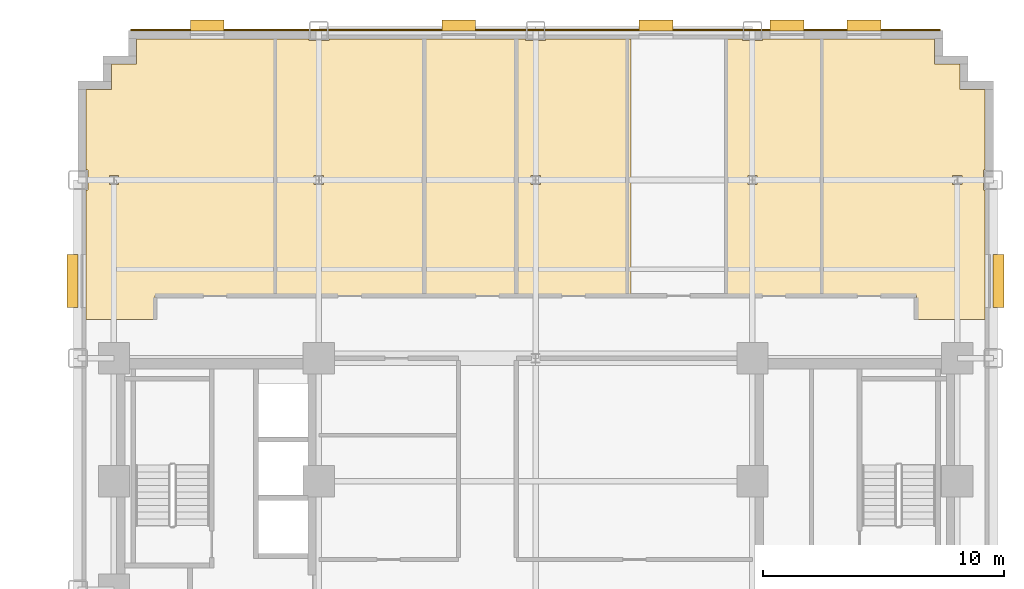
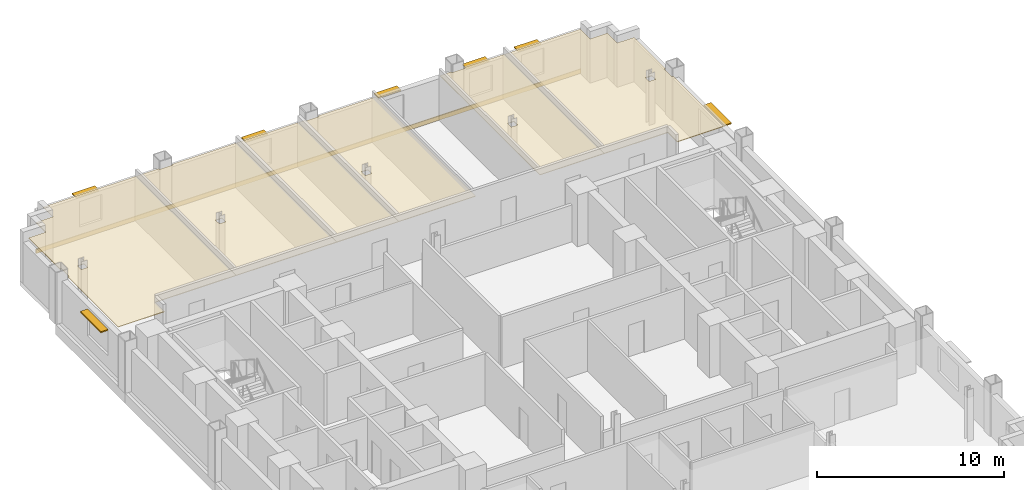
# One storey, part 12 of 12: 7 coverings, 7 shading devices.
"""IFC4 building model written with IfcOpenShell, lengths in metres."""

from ifc_helpers import new_model, si_unit, direction, frame, origin, origin_2d, place, context, subcontext, project, spatial, polyline, rectangle, outline, extrude, source, transform, mapped, material, layer, layer_set, type_object, type_shapes, element, save


model = new_model("IFC4")

# Units and contexts
model_context = context("Model", 3, precision=1e-05, world=origin(), true_north=direction((0.0, 1.0)))
body_context = subcontext(model_context, "Body", "Model", "MODEL_VIEW")
ifc_project = project(units=[si_unit("LENGTHUNIT", "METRE"), si_unit("AREAUNIT", "SQUARE_METRE"), si_unit("VOLUMEUNIT", "CUBIC_METRE"), si_unit("PLANEANGLEUNIT", "RADIAN"), si_unit("MASSUNIT", "GRAM", prefix="KILO")], contexts=[model_context])

# Site, building, storey
site_placement = place(None, origin())
site = spatial("IfcSite", under=ifc_project, at=site_placement, CompositionType="ELEMENT")
building_placement = place(site_placement, origin())
building = spatial("IfcBuilding", under=site, at=building_placement, Name="Nuvemarco Arch Tower", CompositionType="ELEMENT")
storey_placement = place(building_placement, frame((0.0, 0.0, 31.25)))
storey = spatial("IfcBuildingStorey", under=building, at=storey_placement, Name="L07", CompositionType="ELEMENT", Elevation=31.25)

# Coverings
ifc_material_1 = material(Name="Mineral acoustic ceiling tile")
ifc_layer_1 = layer(ifc_material_1, 0.0400390625, Name="COV-ACOUSTIC-CLG")
ifc_layer_set_1 = layer_set([ifc_layer_1], Name="Mineral acoustic ceiling tile")
covering_type_1 = type_object("IfcCoveringType", Name="COV-ACOUSTIC-CLG", PredefinedType="CEILING", material=ifc_layer_set_1)
covering_1_placement = place(storey_placement, frame((0.0, 0.0, 2.85009765625)))
element("IfcCovering", 1, at=covering_1_placement, inside=storey, type_object=covering_type_1, Name="L07 suspended acoustic ceiling 3", PredefinedType="CEILING", context=body_context, shape_type="SweptSolid", body=[
    extrude(outline(polyline([(-18.5849609375, 16.5849609375), (-18.5849609375, 17.4150390625), (-18.659912109375, 17.4150390625), (-18.659912109375, 20.760009765625), (-17.610107421875, 20.760009765625), (-17.610107421875, 21.81005859375), (-16.56005859375, 21.81005859375), (-16.56005859375, 22.860107421875), (-10.81005859375, 22.860107421875), (-10.81005859375, 12.199951171875), (-15.800048828125, 12.199951171875), (-15.800048828125, 11.199951171875), (-18.659912109375, 11.199951171875), (-18.659912109375, 16.5849609375), (-18.5849609375, 16.5849609375)]), holes=[polyline([(-17.304931640625, 16.804931640625), (-17.304931640625, 17.195068359375), (-17.695068359375, 17.195068359375), (-17.695068359375, 16.804931640625), (-17.304931640625, 16.804931640625)])]), origin(), (0.0, 0.0, 1.0), 0.039794921875),
])
covering_2_placement = place(storey_placement, frame((0.0, 0.0, 2.85009765625)))
element("IfcCovering", 2, at=covering_2_placement, inside=storey, type_object=covering_type_1, Name="L07 suspended acoustic ceiling 5", PredefinedType="CEILING", context=body_context, shape_type="SweptSolid", body=[
    extrude(outline(polyline([(18.659912109375, 20.760009765625), (18.659912109375, 17.4150390625), (18.5849609375, 17.4150390625), (18.5849609375, 16.5849609375), (18.659912109375, 16.5849609375), (18.659912109375, 11.199951171875), (15.800048828125, 11.199951171875), (15.800048828125, 12.199951171875), (11.8701171875, 12.199951171875), (11.8701171875, 22.860107421875), (16.56005859375, 22.860107421875), (16.56005859375, 21.81005859375), (17.610107421875, 21.81005859375), (17.610107421875, 20.760009765625), (18.659912109375, 20.760009765625)]), holes=[polyline([(17.695068359375, 16.804931640625), (17.695068359375, 17.195068359375), (17.304931640625, 17.195068359375), (17.304931640625, 16.804931640625), (17.695068359375, 16.804931640625)])]), origin(), (0.0, 0.0, 1.0), 0.039794921875),
])
covering_3_placement = place(storey_placement, frame((0.0, 0.0, 2.85009765625)))
element("IfcCovering", 3, at=covering_3_placement, inside=storey, type_object=covering_type_1, Name="L07 suspended acoustic ceiling 6", PredefinedType="CEILING", context=body_context, shape_type="SweptSolid", body=[
    extrude(outline(polyline([(-4.6201171875, 12.199951171875), (-10.81005859375, 12.199951171875), (-10.81005859375, 22.860107421875), (-9.4150390625, 22.860107421875), (-9.4150390625, 22.784912109375), (-8.5849609375, 22.784912109375), (-8.5849609375, 22.860107421875), (-4.6201171875, 22.860107421875), (-4.6201171875, 12.199951171875)]), holes=[polyline([(-8.804931640625, 16.804931640625), (-8.804931640625, 17.195068359375), (-9.195068359375, 17.195068359375), (-9.195068359375, 16.804931640625), (-8.804931640625, 16.804931640625)])]), origin(), (0.0, 0.0, 1.0), 0.039794921875),
])
covering_4_placement = place(storey_placement, frame((0.0, 0.0, 2.85009765625)))
element("IfcCovering", 4, at=covering_4_placement, inside=storey, type_object=covering_type_1, Name="L07 suspended acoustic ceiling 7", PredefinedType="CEILING", context=body_context, shape_type="SweptSolid", body=[
    extrude(outline(polyline([(3.949951171875, 12.199951171875), (-0.800048828125, 12.199951171875), (-0.800048828125, 22.860107421875), (-0.4150390625, 22.860107421875), (-0.4150390625, 22.784912109375), (0.4150390625, 22.784912109375), (0.4150390625, 22.860107421875), (3.949951171875, 22.860107421875), (3.949951171875, 12.199951171875)]), holes=[polyline([(0.195068359375, 16.804931640625), (0.195068359375, 17.195068359375), (-0.195068359375, 17.195068359375), (-0.195068359375, 16.804931640625), (0.195068359375, 16.804931640625)])]), origin(), (0.0, 0.0, 1.0), 0.039794921875),
])
covering_5_placement = place(storey_placement, frame((0.0, 0.0, 2.85009765625)))
element("IfcCovering", 5, at=covering_5_placement, inside=storey, type_object=covering_type_1, Name="L07 suspended acoustic ceiling 8", PredefinedType="CEILING", context=body_context, shape_type="SweptSolid", body=[
    extrude(outline(polyline([(11.8701171875, 12.199951171875), (7.909912109375, 12.199951171875), (7.909912109375, 22.860107421875), (8.5849609375, 22.860107421875), (8.5849609375, 22.784912109375), (9.4150390625, 22.784912109375), (9.4150390625, 22.860107421875), (11.8701171875, 22.860107421875), (11.8701171875, 12.199951171875)]), holes=[polyline([(9.195068359375, 17.195068359375), (8.804931640625, 17.195068359375), (8.804931640625, 16.804931640625), (9.195068359375, 16.804931640625), (9.195068359375, 17.195068359375)])]), origin(), (0.0, 0.0, 1.0), 0.039794921875),
])
covering_6_placement = place(storey_placement, frame((0.0, 0.0, 2.85009765625)))
element("IfcCovering", 6, at=covering_6_placement, inside=storey, type_object=covering_type_1, Name="L07 suspended acoustic ceiling 9", PredefinedType="CEILING", context=body_context, shape_type="SweptSolid", body=[
    extrude(outline(polyline([(-0.800048828125, 12.199951171875), (-3.199951171875, 12.199951171875), (-4.6201171875, 12.199951171875), (-4.6201171875, 22.860107421875), (-0.800048828125, 22.860107421875), (-0.800048828125, 12.199951171875)])), origin(), (0.0, 0.0, 1.0), 0.039794921875),
])

# Shading devices
ifc_material_2 = material(Name="Anodised aluminium 6063-T6", Category="aluminium")
shading_device_type_1 = type_object("IfcShadingDeviceType", Name="SHD-BRISE-SOLEIL", PredefinedType="USERDEFINED", material=ifc_material_2)
shared_shape_1 = source(origin(), body_context, "Body", "SweptSolid", [
    extrude(rectangle(XDim=2.199951171875, YDim=0.449951171875, at=origin_2d()), origin(), (0.0, 0.0, 1.0), 0.080078125),
])
type_shapes(shading_device_type_1, [shared_shape_1])
for number, where, z_axis, x_axis, name in (
    (7, (19.215087890625, 12.802490234375, 2.455078125), (0.0, 0.0, 1.0), (0.0, 1.0, 0.0), "L07 horizontal brise-soleil sunshade"),
    (8, (-19.215087890625, 12.802490234375, 2.455078125), (0.0, 0.0, 1.0), (0.0, 1.0, 0.0), "L07 horizontal brise-soleil sunshade"),
):
    element("IfcShadingDevice", number, at=place(storey_placement, frame(where, z_axis=z_axis, x_axis=x_axis)), inside=storey, type_object=shading_device_type_1, Name=name, ObjectType="SUNSHADE", PredefinedType="USERDEFINED", context=body_context, shape_type="MappedRepresentation", body=[
        mapped(shared_shape_1, transform((0.0, 0.0, 0.0), scale=1.0)),
    ])
shading_device_type_2 = type_object("IfcShadingDeviceType", Name="SHD-BRISE-NARROW", PredefinedType="USERDEFINED", material=ifc_material_2)
shared_shape_2 = source(origin(), body_context, "Body", "SweptSolid", [
    extrude(rectangle(XDim=1.39990234375, YDim=0.449951171875, at=origin_2d()), origin(), (0.0, 0.0, 1.0), 0.080078125),
])
type_shapes(shading_device_type_2, [shared_shape_2])
for number, where, z_axis, x_axis, name in (
    (9, (-13.628662109375, 23.4150390625, 2.455078125), (0.0, 0.0, 1.0), (1.0, 0.0, 0.0), "L07 horizontal brise-soleil sunshade"),
    (10, (-3.19287109375, 23.4150390625, 2.455078125), (0.0, 0.0, 1.0), (1.0, 0.0, 0.0), "L07 horizontal brise-soleil sunshade"),
    (11, (4.992919921875, 23.4150390625, 2.455078125), (0.0, 0.0, 1.0), (1.0, 0.0, 0.0), "L07 horizontal brise-soleil sunshade"),
    (12, (10.435791015625, 23.4150390625, 2.455078125), (0.0, 0.0, 1.0), (1.0, 0.0, 0.0), "L07 horizontal brise-soleil sunshade"),
    (13, (13.628662109375, 23.4150390625, 2.455078125), (0.0, 0.0, 1.0), (1.0, 0.0, 0.0), "L07 horizontal brise-soleil sunshade"),
):
    element("IfcShadingDevice", number, at=place(storey_placement, frame(where, z_axis=z_axis, x_axis=x_axis)), inside=storey, type_object=shading_device_type_2, Name=name, ObjectType="SUNSHADE", PredefinedType="USERDEFINED", context=body_context, shape_type="MappedRepresentation", body=[
        mapped(shared_shape_2, transform((0.0, 0.0, 0.0), scale=1.0)),
    ])

# Covering
ifc_material_3 = material(Name="Precast concrete C45/55", Category="concrete")
ifc_layer_2 = layer(ifc_material_3, 0.06005859375, Name="COV-SPANDREL-CLAD")
ifc_layer_set_2 = layer_set([ifc_layer_2], Name="Precast concrete C45/55")
covering_type_2 = type_object("IfcCoveringType", Name="COV-SPANDREL-CLAD", PredefinedType="CLADDING", material=ifc_layer_set_2)
shared_shape_3 = source(origin(), body_context, "Body", "SweptSolid", [
    extrude(rectangle(XDim=33.60009765625, YDim=0.06005859375, at=origin_2d()), origin(), (0.0, 0.0, 1.0), 0.280029296875),
])
type_shapes(covering_type_2, [shared_shape_3])
covering_7_placement = place(storey_placement, frame((0.0, 23.22900390625, -0.27978515625), z_axis=(0.0, 0.0, 1.0), x_axis=(1.0, 0.0, 0.0)))
element("IfcCovering", 14, at=covering_7_placement, inside=storey, type_object=covering_type_2, Name="L07 precast spandrel edge cladding north", PredefinedType="CLADDING", context=body_context, shape_type="MappedRepresentation", body=[
    mapped(shared_shape_3, transform((0.0, 0.0, 0.0), scale=1.0)),
])

save(model, "model.ifc")
